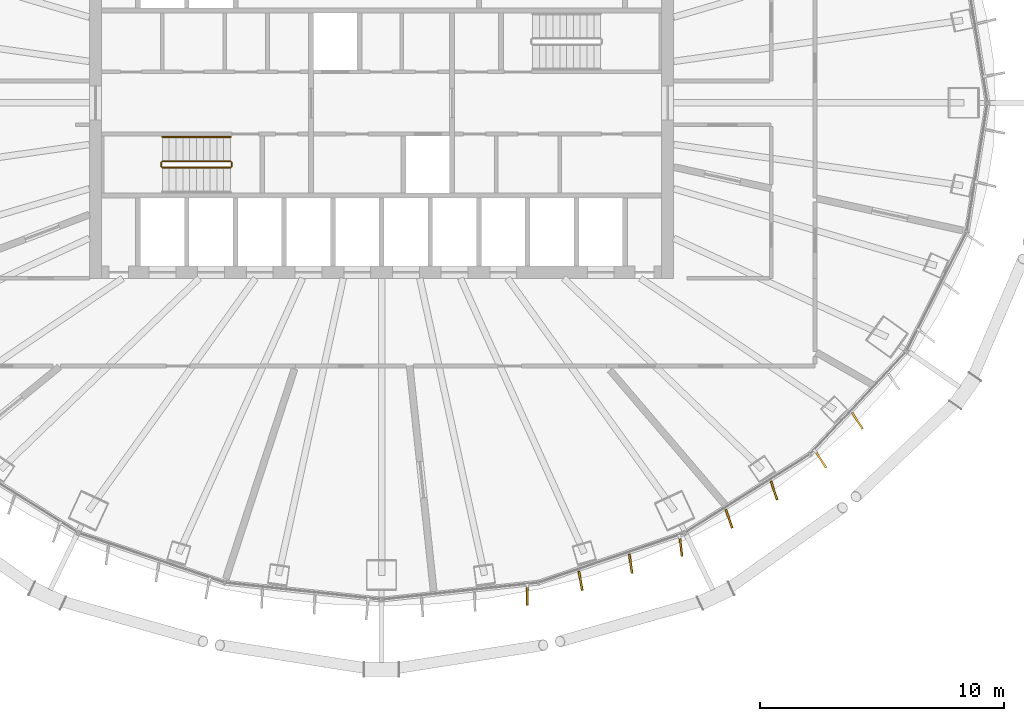
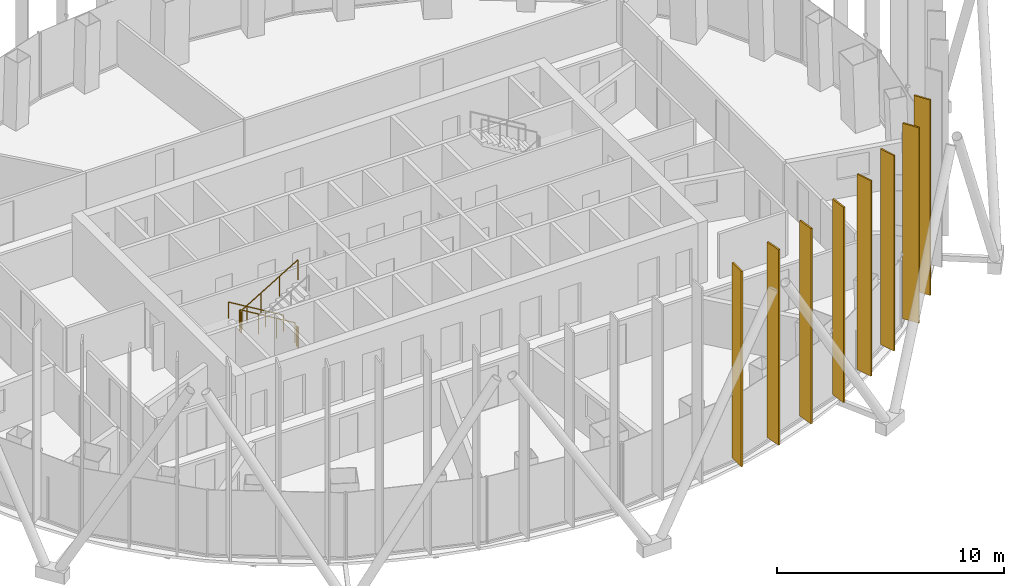
# One storey, part 17 of 19: 8 shading devices, 5 railings.
"""IFC4 building model written with IfcOpenShell, lengths in metres."""

from ifc_helpers import new_model, si_unit, direction, frame, origin, origin_2d, place, context, subcontext, project, spatial, rectangle, circle, extrude, material, layer, layer_set, type_object, element, save


model = new_model("IFC4")

# Units and contexts
model_context = context("Model", 3, precision=1e-05, world=origin(), true_north=direction((0.0, 1.0)))
body_context = subcontext(model_context, "Body", "Model", "MODEL_VIEW")
ifc_project = project(units=[si_unit("LENGTHUNIT", "METRE"), si_unit("AREAUNIT", "SQUARE_METRE"), si_unit("VOLUMEUNIT", "CUBIC_METRE"), si_unit("PLANEANGLEUNIT", "RADIAN"), si_unit("MASSUNIT", "GRAM", prefix="KILO")], contexts=[model_context])

# Site, building, storey
site_placement = place(None, origin())
site = spatial("IfcSite", under=ifc_project, at=site_placement, CompositionType="ELEMENT")
building_placement = place(site_placement, origin())
building = spatial("IfcBuilding", under=site, at=building_placement, Name="Siaravel Broadcast Tower", CompositionType="ELEMENT")
storey_placement = place(building_placement, frame((0.0, 0.0, 130.39990234375)))
storey = spatial("IfcBuildingStorey", under=building, at=storey_placement, Name="L31", CompositionType="ELEMENT", Elevation=130.39990234375)

# Shading devices
ifc_material_1 = material(Name="Bronze anodised aluminium", Category="aluminium")
ifc_layer = layer(ifc_material_1, 0.080078125)
ifc_layer_set = layer_set([ifc_layer], Name="Bronze anodised aluminium")
shading_device_type = type_object("IfcShadingDeviceType", Name="Bronze fin zone 2", PredefinedType="USERDEFINED", material=ifc_layer_set)
for number, where, z_axis, x_axis, name in (
    (1, (5.98828125, -20.23681640625, 0.300048828125), (0.0, 0.0, 1.0), (-0.006784043, -0.999976988, 0.0), "Bronze fin L31-52"),
    (2, (8.17333984375, -19.6220703125, 0.300048828125), (0.0, 0.0, 1.0), (0.175359853, -0.984504404, 0.0), "Bronze fin L31-53"),
    (3, (10.232177734375, -18.921142578125, 0.300048828125), (0.0, 0.0, 1.0), (0.143547894, -0.989643371, 0.0), "Bronze fin L31-54"),
    (4, (12.293701171875, -18.219482421875, 0.300048828125), (0.0, 0.0, 1.0), (0.117688187, -0.993050598, 0.0), "Bronze fin L31-55"),
    (5, (14.271240234375, -17.076904296875, 0.300048828125), (0.0, 0.0, 1.0), (0.32610938, -0.945332043, 0.0), "Bronze fin L31-56"),
    (6, (16.118896484375, -15.914306640625, 0.300048828125), (0.0, 0.0, 1.0), (0.314779452, -0.949164842, 0.0), "Bronze fin L31-57"),
    (7, (18.040283203125, -14.644287109375, 0.300048828125), (0.0, 0.0, 1.0), (0.54278166, -0.839873842, 0.0), "Bronze fin L31-58"),
    (8, (19.537841796875, -13.04638671875, 0.300048828125), (0.0, 0.0, 1.0), (0.547615798, -0.836729907, 0.0), "Bronze fin L31-59"),
):
    element("IfcShadingDevice", number, at=place(storey_placement, frame(where, z_axis=z_axis, x_axis=x_axis)), inside=storey, type_object=shading_device_type, Name=name, ObjectType="FIN", PredefinedType="USERDEFINED", context=body_context, shape_type="SweptSolid", body=[
        extrude(rectangle(XDim=0.800048828125, YDim=0.080078125, at=origin_2d()), origin(), (0.0, 0.0, 1.0), 10.5),
    ])

# Railings
ifc_material_2 = material(Name="Stainless steel 316L", Category="steel")
railing_type_1 = type_object("IfcRailingType", Name="Stair guard 1100", PredefinedType="GUARDRAIL", material=ifc_material_2)
railing_1_placement = place(storey_placement, frame((-6.199951171875, -2.39990234375, 0.168212890625)))
element("IfcRailing", 9, at=railing_1_placement, inside=storey, type_object=railing_type_1, Name="L31 ST-1 stair guard 1", PredefinedType="GUARDRAIL", context=body_context, shape_type="SweptSolid", body=[
    extrude(circle(Radius=0.02392578125, at=origin_2d()), frame((0.0, 0.0, 1.076171875), z_axis=(-0.857242211, 0.0, 0.514913383), x_axis=(0.0, -1.0, 0.0)), (0.0, 0.0, 1.0), 3.266357421875),
    extrude(circle(Radius=0.02099609375, at=origin_2d()), origin(), (0.0, 0.0, 1.0), 1.052001953125),
    extrude(circle(Radius=0.02099609375, at=origin_2d()), frame((-0.933349609375, 0.0, 0.560546875)), (0.0, 0.0, 1.0), 1.052001953125),
    extrude(circle(Radius=0.02099609375, at=origin_2d()), frame((-1.86669921875, 0.0, 1.121337890625)), (0.0, 0.0, 1.0), 1.052001953125),
    extrude(circle(Radius=0.02099609375, at=origin_2d()), frame((-2.800048828125, 0.0, 1.681884765625)), (0.0, 0.0, 1.0), 1.052001953125),
])
railing_2_placement = place(storey_placement, frame((-9.050048828125, -2.449951171875, 1.85009765625)))
element("IfcRailing", 10, at=railing_2_placement, inside=storey, type_object=railing_type_1, Name="L31 ST-1 stair guard 2", PredefinedType="GUARDRAIL", context=body_context, shape_type="SweptSolid", body=[
    extrude(circle(Radius=0.02392578125, at=origin_2d()), frame((0.0, 0.0, 1.076171875), z_axis=(0.0, -1.0, 0.0), x_axis=(1.0, 0.0, 0.0)), (0.0, 0.0, 1.0), 0.150146484375),
    extrude(circle(Radius=0.02099609375, at=origin_2d()), origin(), (0.0, 0.0, 1.0), 1.052001953125),
    extrude(circle(Radius=0.02099609375, at=origin_2d()), frame((0.0, -0.150146484375, 0.0)), (0.0, 0.0, 1.0), 1.052001953125),
])
railing_3_placement = place(storey_placement, frame((-9.0, -2.64990234375, 2.018310546875)))
element("IfcRailing", 11, at=railing_3_placement, inside=storey, type_object=railing_type_1, Name="L31 ST-1 stair guard 3", PredefinedType="GUARDRAIL", context=body_context, shape_type="SweptSolid", body=[
    extrude(circle(Radius=0.02392578125, at=origin_2d()), frame((0.0, 0.0, 1.076171875), z_axis=(0.857242211, 0.0, 0.514913383), x_axis=(0.0, 1.0, 0.0)), (0.0, 0.0, 1.0), 3.266357421875),
    extrude(circle(Radius=0.02099609375, at=origin_2d()), origin(), (0.0, 0.0, 1.0), 1.052001953125),
    extrude(circle(Radius=0.02099609375, at=origin_2d()), frame((0.933349609375, 0.0, 0.560546875)), (0.0, 0.0, 1.0), 1.052001953125),
    extrude(circle(Radius=0.02099609375, at=origin_2d()), frame((1.86669921875, 0.0, 1.121337890625)), (0.0, 0.0, 1.0), 1.052001953125),
    extrude(circle(Radius=0.02099609375, at=origin_2d()), frame((2.800048828125, 0.0, 1.681884765625)), (0.0, 0.0, 1.0), 1.052001953125),
])
railing_4_placement = place(storey_placement, frame((-6.14990234375, -2.449951171875, 0.0)))
element("IfcRailing", 12, at=railing_4_placement, inside=storey, type_object=railing_type_1, Name="L31 ST-1 stair guard 4", PredefinedType="GUARDRAIL", context=body_context, shape_type="SweptSolid", body=[
    extrude(circle(Radius=0.02392578125, at=origin_2d()), frame((0.0, 0.0, 1.076171875), z_axis=(0.0, -1.0, 0.0), x_axis=(1.0, 0.0, 0.0)), (0.0, 0.0, 1.0), 0.150146484375),
    extrude(circle(Radius=0.02099609375, at=origin_2d()), origin(), (0.0, 0.0, 1.0), 1.052001953125),
    extrude(circle(Radius=0.02099609375, at=origin_2d()), frame((0.0, -0.150146484375, 0.0)), (0.0, 0.0, 1.0), 1.052001953125),
])
railing_type_2 = type_object("IfcRailingType", Name="Stair handrail 900", PredefinedType="HANDRAIL", material=ifc_material_2)
railing_5_placement = place(storey_placement, frame((-6.199951171875, -1.39990234375, 0.168212890625)))
element("IfcRailing", 13, at=railing_5_placement, inside=storey, type_object=railing_type_2, Name="L31 ST-1 stair handrail 1", PredefinedType="HANDRAIL", context=body_context, shape_type="SweptSolid", body=[
    extrude(circle(Radius=0.02392578125, at=origin_2d()), frame((0.0, 0.0, 0.8759765625), z_axis=(-0.857242211, 0.0, 0.514913383), x_axis=(0.0, -1.0, 0.0)), (0.0, 0.0, 1.0), 3.266357421875),
    extrude(circle(Radius=0.02099609375, at=origin_2d()), origin(), (0.0, 0.0, 1.0), 0.851806640625),
    extrude(circle(Radius=0.02099609375, at=origin_2d()), frame((-0.933349609375, 0.0, 0.560546875)), (0.0, 0.0, 1.0), 0.851806640625),
    extrude(circle(Radius=0.02099609375, at=origin_2d()), frame((-1.86669921875, 0.0, 1.121337890625)), (0.0, 0.0, 1.0), 0.851806640625),
    extrude(circle(Radius=0.02099609375, at=origin_2d()), frame((-2.800048828125, 0.0, 1.681884765625)), (0.0, 0.0, 1.0), 0.851806640625),
])

save(model, "model.ifc")
